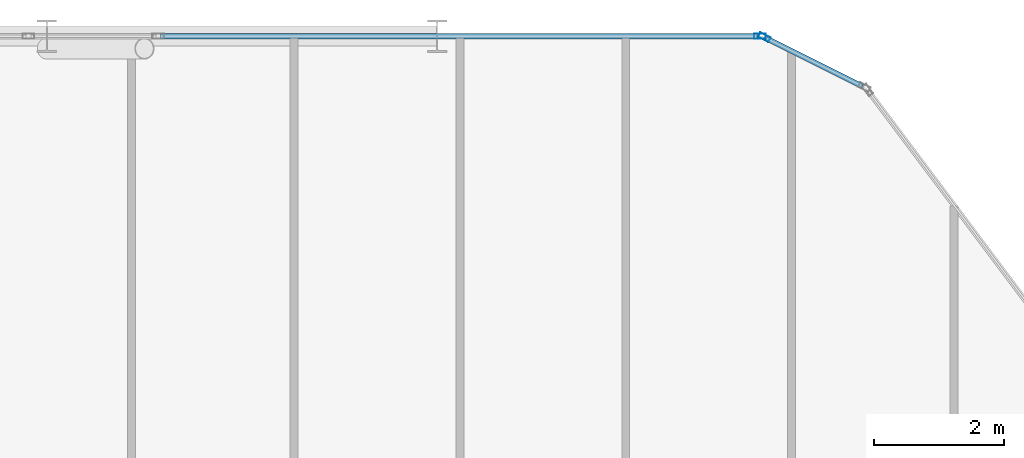
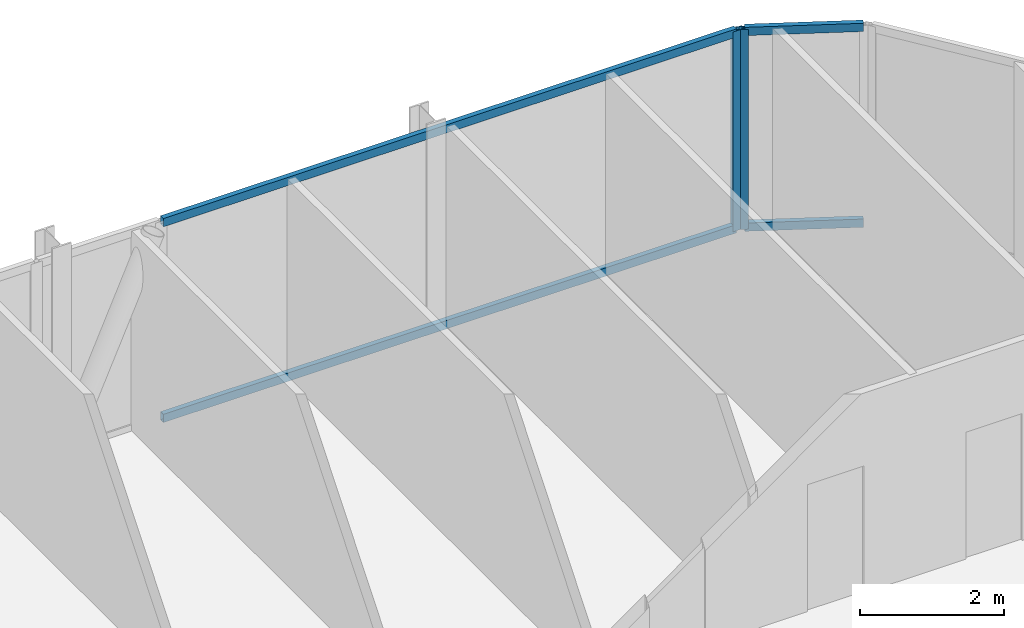
# One storey, part 21 of 31: 6 members, 2 elements without a shape of their own.
"""IFC4 building model written with IfcOpenShell, lengths in metres."""

from ifc_helpers import new_model, si_unit, direction, frame, origin, origin_2d, place, context, subcontext, project, spatial, hollow_rectangle, extrude, material, layer, layer_set, material_profile, profile_set, type_object, element, aggregate, save


model = new_model("IFC4")

# Units and contexts
model_context = context("Model", 3, precision=1e-05, world=origin(), true_north=direction((0.0, 1.0)))
body_context = subcontext(model_context, "Body", "Model", "MODEL_VIEW")
ifc_project = project(units=[si_unit("LENGTHUNIT", "METRE"), si_unit("AREAUNIT", "SQUARE_METRE"), si_unit("VOLUMEUNIT", "CUBIC_METRE"), si_unit("PLANEANGLEUNIT", "RADIAN"), si_unit("MASSUNIT", "GRAM", prefix="KILO")], contexts=[model_context])

# Site, building, storey
site_placement = place(None, origin())
site = spatial("IfcSite", under=ifc_project, at=site_placement, CompositionType="ELEMENT")
building_placement = place(site_placement, origin())
building = spatial("IfcBuilding", under=site, at=building_placement, Name="Keshet Zoharim Tower", CompositionType="ELEMENT")
storey_placement = place(building_placement, frame((0.0, 0.0, 144.60009765625)))
storey = spatial("IfcBuildingStorey", under=building, at=storey_placement, Name="L35", CompositionType="ELEMENT", Elevation=144.60009765625)

# Curtain wall, member
ifc_material = material(Name="Aluminium 6063-T6", Category="aluminium")
ifc_layer = layer(ifc_material, 0.159912109375)
ifc_layer_set = layer_set([ifc_layer], Name="Aluminium 6063-T6")
curtain_wall_type = type_object("IfcCurtainWallType", Name="CW-SYS-03", PredefinedType="NOTDEFINED", material=ifc_layer_set)
curtain_wall_1_placement = place(storey_placement, origin())
curtain_wall_1 = element("IfcCurtainWall", 1, at=curtain_wall_1_placement, inside=storey, type_object=curtain_wall_type, Name="L35 Unitised Curtain Wall 13 Part 5", PredefinedType="NOTDEFINED")
ifc_material_profile_1 = material_profile(ifc_material, hollow_rectangle(XDim=0.080078125, YDim=0.179931640625, WallThickness=0.00439453125, at=origin_2d()), Name="MUL-80x180")
ifc_profile_set_1 = profile_set([ifc_material_profile_1], Name="Aluminium 6063-T6")
member_type_1 = type_object("IfcMemberType", Name="CWM-M18", PredefinedType="MULLION", material=ifc_profile_set_1)
member_1_placement = place(storey_placement, frame((49.965087890625, 53.89990234375, 0.0), z_axis=(0.0, 0.0, 1.0), x_axis=(0.0, 1.0, 0.0)))
member_1 = element("IfcMember", 2, at=member_1_placement, type_object=member_type_1, Name="CW-03 mullion 2", PredefinedType="MULLION", context=body_context, shape_type="SweptSolid", body=[
    extrude(hollow_rectangle(XDim=0.080078125, YDim=0.179931640625, WallThickness=0.00439453125, at=origin_2d()), origin(), (0.0, 0.0, 1.0), 3.385009765625),
])

curtain_wall_2_placement = place(storey_placement, origin())
curtain_wall_2 = element("IfcCurtainWall", 3, at=curtain_wall_2_placement, inside=storey, type_object=curtain_wall_type, Name="L35 Unitised Curtain Wall 14", PredefinedType="NOTDEFINED")
member_2_placement = place(storey_placement, frame((50.03125, 53.88427734375, 0.0), z_axis=(0.0, 0.0, 1.0), x_axis=(0.447213595499, 0.894427191001, 0.0)))
member_2 = element("IfcMember", 4, at=member_2_placement, type_object=member_type_1, Name="CW-03 mullion 1", PredefinedType="MULLION", context=body_context, shape_type="SweptSolid", body=[
    extrude(hollow_rectangle(XDim=0.080078125, YDim=0.179931640625, WallThickness=0.00439453125, at=origin_2d()), origin(), (0.0, 0.0, 1.0), 3.385009765625),
])

# Member
ifc_material_profile_2 = material_profile(ifc_material, hollow_rectangle(XDim=0.080078125, YDim=0.139892578125, WallThickness=0.00390625, at=origin_2d()), Name="TRN-80x140")
ifc_profile_set_2 = profile_set([ifc_material_profile_2], Name="Aluminium 6063-T6")
member_type_2 = type_object("IfcMemberType", Name="CWT-T14", PredefinedType="USERDEFINED", material=ifc_profile_set_2)
member_3_placement = place(storey_placement, frame((40.748046875, 53.89990234375, 0.034912109375), z_axis=(1.0, 0.0, 0.0), x_axis=(0.0, 1.0, 0.0)))
member_3 = element("IfcMember", 5, at=member_3_placement, type_object=member_type_2, Name="CW-03 transom 1.1", ObjectType="TRANSOM", PredefinedType="USERDEFINED", context=body_context, shape_type="SweptSolid", body=[
    extrude(hollow_rectangle(XDim=0.080078125, YDim=0.139892578125, WallThickness=0.00390625, at=origin_2d()), origin(), (0.0, 0.0, 1.0), 9.181884765625),
])

member_4_placement = place(storey_placement, frame((40.748046875, 53.89990234375, 3.349853515625), z_axis=(1.0, 0.0, 0.0), x_axis=(0.0, 1.0, 0.0)))
member_4 = element("IfcMember", 6, at=member_4_placement, type_object=member_type_2, Name="CW-03 transom 1.2", ObjectType="TRANSOM", PredefinedType="USERDEFINED", context=body_context, shape_type="SweptSolid", body=[
    extrude(hollow_rectangle(XDim=0.080078125, YDim=0.139892578125, WallThickness=0.00390625, at=origin_2d()), origin(), (0.0, 0.0, 1.0), 9.181884765625),
])

aggregate(curtain_wall_1, [member_1, member_3, member_4])

member_5_placement = place(storey_placement, frame((50.0625, 53.86865234375, 0.034912109375), z_axis=(0.894456801911, -0.447154368775, 0.0), x_axis=(0.447154368775, 0.894456801911, 0.0)))
member_5 = element("IfcMember", 7, at=member_5_placement, type_object=member_type_2, Name="CW-03 transom 1.1", ObjectType="TRANSOM", PredefinedType="USERDEFINED", context=body_context, shape_type="SweptSolid", body=[
    extrude(hollow_rectangle(XDim=0.080078125, YDim=0.139892578125, WallThickness=0.00390625, at=origin_2d()), origin(), (0.0, 0.0, 1.0), 1.64892578125),
])

member_6_placement = place(storey_placement, frame((50.0625, 53.86865234375, 3.349853515625), z_axis=(0.894456801911, -0.447154368775, 0.0), x_axis=(0.447154368775, 0.894456801911, 0.0)))
member_6 = element("IfcMember", 8, at=member_6_placement, type_object=member_type_2, Name="CW-03 transom 1.2", ObjectType="TRANSOM", PredefinedType="USERDEFINED", context=body_context, shape_type="SweptSolid", body=[
    extrude(hollow_rectangle(XDim=0.080078125, YDim=0.139892578125, WallThickness=0.00390625, at=origin_2d()), origin(), (0.0, 0.0, 1.0), 1.64892578125),
])

aggregate(curtain_wall_2, [member_2, member_5, member_6])

save(model, "model.ifc")
